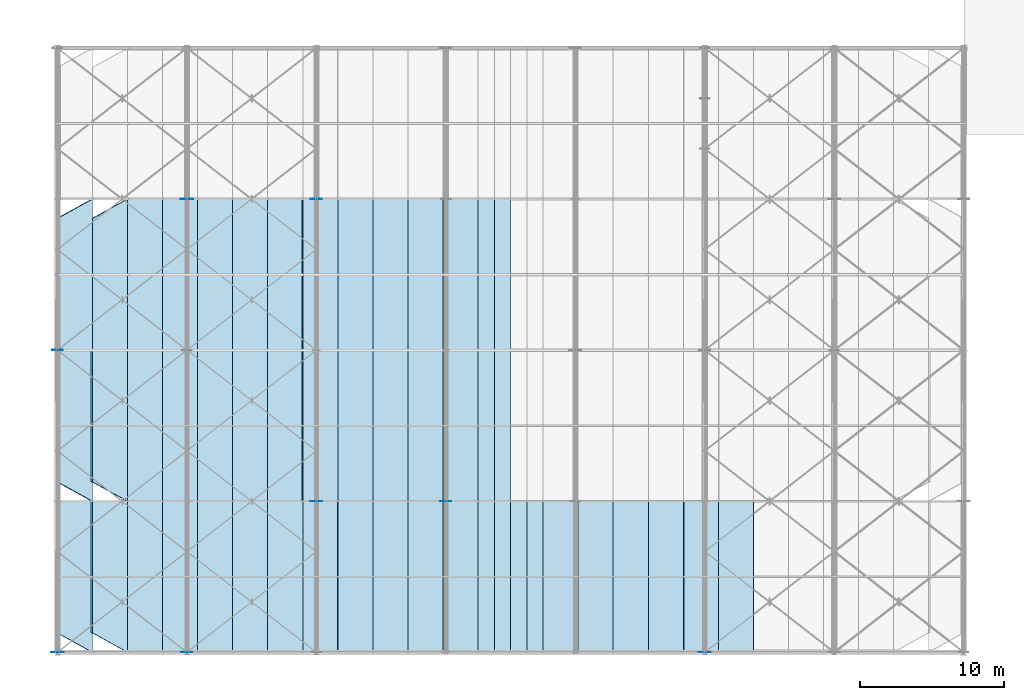
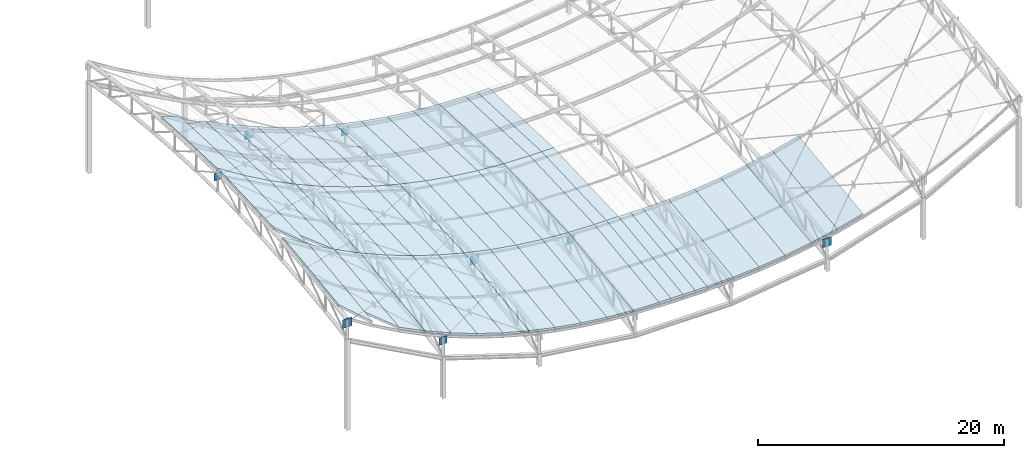
# One storey, part 217 of 262: 50 slabs, 8 plates.
"""IFC4 building model written with IfcOpenShell, lengths in metres."""

from ifc_helpers import new_model, si_unit, derived_unit, direction, frame, origin, origin_2d, place, context, subcontext, project, spatial, polyline, rectangle, outline, extrude, material, layer, layer_set, type_object, element, save


model = new_model("IFC4")

# Units and contexts
model_context = context("Model", 3, precision=1e-05, world=origin(), true_north=direction((0.0, 1.0)))
body_context = subcontext(model_context, "Body", "Model", "MODEL_VIEW")
ifc_project = project(units=[si_unit("LENGTHUNIT", "METRE"), si_unit("AREAUNIT", "SQUARE_METRE"), si_unit("VOLUMEUNIT", "CUBIC_METRE"), si_unit("PLANEANGLEUNIT", "RADIAN"), si_unit("MASSUNIT", "GRAM", prefix="KILO"), derived_unit("THERMALTRANSMITTANCEUNIT", [(si_unit("POWERUNIT", "WATT"), 1), (si_unit("LENGTHUNIT", "METRE"), -2), (si_unit("THERMODYNAMICTEMPERATUREUNIT", "KELVIN"), -1)])], contexts=[model_context])

# Site, building, storey
site_placement = place(None, origin())
site = spatial("IfcSite", under=ifc_project, at=site_placement, CompositionType="ELEMENT")
building_placement = place(site_placement, origin())
building = spatial("IfcBuilding", under=site, at=building_placement, Name="Almenara Railside Exhibition Hall", CompositionType="ELEMENT")
storey_placement = place(building_placement, frame((0.0, 0.0, 21.699951171875)))
storey = spatial("IfcBuildingStorey", under=building, at=storey_placement, Name="RF", CompositionType="ELEMENT", Elevation=21.699951171875)

# Slabs
ifc_material_1 = material(Name="Planted green roof insulated steel S355JR deck", Category="steel")
ifc_layer_1 = layer(ifc_material_1, 0.2451171875, Name="Planted green roof insulated steel S355JR deck")
ifc_layer_set_1 = layer_set([ifc_layer_1], Name="Planted green roof insulated steel S355JR deck")
slab_type_1 = type_object("IfcSlabType", Name="Flat Planted Hall Roof Deck 245mm S355JR", PredefinedType="ROOF", material=ifc_layer_set_1)
slab_1_placement = place(storey_placement, frame((32.240478515625, 10.5, -6.31005859375), z_axis=(0.0, -0.127508130523, 0.991837525329), x_axis=(1.0, 0.0, 0.0)))
element("IfcSlab", 1, at=slab_1_placement, inside=storey, type_object=slab_type_1, Name="V4 roof cassette RC-V4-13A", PredefinedType="ROOF", context=body_context, shape_type="SweptSolid", body=[
    extrude(outline(polyline([(0.0, 0.0), (1.129638671875, 0.0), (1.129638671875, -10.586411314210551), (0.0, -10.586411314210551), (0.0, 0.0)])), origin(), (0.0, 0.0, -1.0), 0.2451171875),
])
for number, where, z_axis, x_axis, name in (
    (2, (32.240478515625, 21.0, -5.85986328125), (0.0, -0.04283638843, 0.999082100644), (1.0, 0.0, 0.0), "V4 roof cassette RC-V4-13B"),
    (3, (32.240478515625, 31.5, -6.31005859375), (0.0, 0.04283638843, 0.999082100644), (1.0, 0.0, 0.0), "V4 roof cassette RC-V4-13C"),
):
    element("IfcSlab", number, at=place(storey_placement, frame(where, z_axis=z_axis, x_axis=x_axis)), inside=storey, type_object=slab_type_1, Name=name, PredefinedType="ROOF", context=body_context, shape_type="SweptSolid", body=[
        extrude(outline(polyline([(0.0, 0.0), (1.129638671875, 0.0), (1.129638671875, -10.509646798032604), (0.0, -10.509646798032604), (0.0, 0.0)])), origin(), (0.0, 0.0, -1.0), 0.2451171875),
    ])
slab_2_placement = place(storey_placement, frame((33.3701171875, 10.5, -6.31005859375), z_axis=(0.0, -0.127508130523, 0.991837525329), x_axis=(1.0, 0.0, 0.0)))
element("IfcSlab", 4, at=slab_2_placement, inside=storey, type_object=slab_type_1, Name="V4 roof cassette RC-V4-14A", PredefinedType="ROOF", context=body_context, shape_type="SweptSolid", body=[
    extrude(outline(polyline([(0.0, 0.0), (1.1298828125, 0.0), (1.1298828125, -10.586411314210551), (0.0, -10.586411314210551), (0.0, 0.0)])), origin(), (0.0, 0.0, -1.0), 0.2451171875),
])
for number, where, z_axis, x_axis, name in (
    (5, (33.3701171875, 21.0, -5.85986328125), (0.0, -0.04283638843, 0.999082100644), (1.0, 0.0, 0.0), "V4 roof cassette RC-V4-14B"),
    (6, (33.3701171875, 31.5, -6.31005859375), (0.0, 0.04283638843, 0.999082100644), (1.0, 0.0, 0.0), "V4 roof cassette RC-V4-14C"),
):
    element("IfcSlab", number, at=place(storey_placement, frame(where, z_axis=z_axis, x_axis=x_axis)), inside=storey, type_object=slab_type_1, Name=name, PredefinedType="ROOF", context=body_context, shape_type="SweptSolid", body=[
        extrude(outline(polyline([(0.0, 0.0), (1.1298828125, 0.0), (1.1298828125, -10.509646798032604), (0.0, -10.509646798032604), (0.0, 0.0)])), origin(), (0.0, 0.0, -1.0), 0.2451171875),
    ])
slab_3_placement = place(storey_placement, frame((34.5, 10.5, -6.31005859375), z_axis=(0.0, -0.127508130523, 0.991837525329), x_axis=(1.0, 0.0, 0.0)))
element("IfcSlab", 7, at=slab_3_placement, inside=storey, type_object=slab_type_1, Name="V4 roof cassette RC-V4-15A", PredefinedType="ROOF", context=body_context, shape_type="SweptSolid", body=[
    extrude(outline(polyline([(0.0, 0.0), (1.1298828125, 0.0), (1.1298828125, -10.586411314210551), (0.0, -10.586411314210551), (0.0, 0.0)])), origin(), (0.0, 0.0, -1.0), 0.2451171875),
])
slab_4_placement = place(storey_placement, frame((35.6298828125, 10.5, -6.31005859375), z_axis=(0.0, -0.127508130523, 0.991837525329), x_axis=(1.0, 0.0, 0.0)))
element("IfcSlab", 8, at=slab_4_placement, inside=storey, type_object=slab_type_1, Name="V4 roof cassette RC-V4-16A", PredefinedType="ROOF", context=body_context, shape_type="SweptSolid", body=[
    extrude(outline(polyline([(0.0, 0.0), (1.129638671875, 0.0), (1.129638671875, -10.586411314210551), (0.0, -10.586411314210551), (0.0, 0.0)])), origin(), (0.0, 0.0, -1.0), 0.2451171875),
])
ifc_material_2 = material(Name="White standing-seam insulated steel S355JR roof deck", Category="steel")
ifc_layer_2 = layer(ifc_material_2, 0.195068359375, Name="White standing-seam insulated steel S355JR roof deck")
ifc_layer_set_2 = layer_set([ifc_layer_2], Name="White standing-seam insulated steel S355JR roof deck")
slab_type_2 = type_object("IfcSlabType", Name="Scroll Standing-Seam Insulated Roof Cassette 195mm S355JR", PredefinedType="ROOF", material=ifc_layer_set_2)
slab_5_placement = place(storey_placement, frame((7.873291015625, 10.5, -0.247314453125), z_axis=(0.442388609111, -0.114372628726, 0.889500545434), x_axis=(0.895376074457, 0.0, -0.445310773831)))
element("IfcSlab", 9, at=slab_5_placement, inside=storey, type_object=slab_type_2, Name="V4 roof cassette RC-V4-03A", PredefinedType="ROOF", context=body_context, shape_type="SweptSolid", body=[
    extrude(outline(polyline([(0.0, 0.0), (2.721501777454211, 0.0), (3.322714809506032, -10.569356961116545), (0.6012130320518209, -10.569356961116545), (0.0, 0.0)])), origin(), (0.0, 0.0, -1.0), 0.195068359375),
])
slab_6_placement = place(storey_placement, frame((7.873291015625, 21.0, 0.20263671875), z_axis=(0.444983344821, -0.038340884461, 0.894717720519), x_axis=(0.895376074457, 0.0, -0.445310773831)))
element("IfcSlab", 10, at=slab_6_placement, inside=storey, type_object=slab_type_2, Name="V4 roof cassette RC-V4-03B", PredefinedType="ROOF", context=body_context, shape_type="SweptSolid", body=[
    extrude(outline(polyline([(0.0, 0.0), (2.721501777454211, 0.0), (2.9218698819879374, -10.507726142213512), (0.2003681045337262, -10.507726142213512), (0.0, 0.0)])), origin(), (0.0, 0.0, -1.0), 0.195068359375),
])
slab_7_placement = place(storey_placement, frame((7.873291015625, 31.5, -0.247314453125), z_axis=(0.444983344821, 0.038340884461, 0.894717720519), x_axis=(0.895376074457, 0.0, -0.445310773831)))
element("IfcSlab", 11, at=slab_7_placement, inside=storey, type_object=slab_type_2, Name="V4 roof cassette RC-V4-03C", PredefinedType="ROOF", context=body_context, shape_type="SweptSolid", body=[
    extrude(outline(polyline([(0.0, 0.0), (2.721501777454211, 0.0), (2.521133672920485, -10.507726142213512), (-0.2003681045337262, -10.507726142213512), (0.0, 0.0)])), origin(), (0.0, 0.0, -1.0), 0.195068359375),
])
slab_8_placement = place(storey_placement, frame((10.31005859375, 10.5, -1.459228515625), z_axis=(0.395708270549, -0.117121275586, 0.910877363548), x_axis=(0.917189812532, 0.0, -0.398450558775)))
element("IfcSlab", 12, at=slab_8_placement, inside=storey, type_object=slab_type_2, Name="V4 roof cassette RC-V4-04A", PredefinedType="ROOF", context=body_context, shape_type="SweptSolid", body=[
    extrude(outline(polyline([(0.0, 0.0), (2.656775669366957, 0.0), (3.1947228349010506, -10.572765793703445), (0.5379471655340936, -10.572765793703445), (0.0, 0.0)])), origin(), (0.0, 0.0, -1.0), 0.195068359375),
])
slab_9_placement = place(storey_placement, frame((10.31005859375, 21.0, -1.00927734375), z_axis=(0.398143152839, -0.039273546551, 0.91648219753), x_axis=(0.917189812532, 0.0, -0.398450558775)))
element("IfcSlab", 13, at=slab_9_placement, inside=storey, type_object=slab_type_2, Name="V4 roof cassette RC-V4-04B", PredefinedType="ROOF", context=body_context, shape_type="SweptSolid", body=[
    extrude(outline(polyline([(0.0, 0.0), (2.656775669366957, 6.938893903907228e-18), (2.836058965222171, -10.508107039657475), (0.17928329585521421, -10.508107039657475), (0.0, 0.0)])), origin(), (0.0, 0.0, -1.0), 0.195068359375),
])
slab_10_placement = place(storey_placement, frame((10.31005859375, 31.5, -1.459228515625), z_axis=(0.398143152839, 0.039273546551, 0.91648219753), x_axis=(0.917189812532, 0.0, -0.398450558775)))
element("IfcSlab", 14, at=slab_10_placement, inside=storey, type_object=slab_type_2, Name="V4 roof cassette RC-V4-04C", PredefinedType="ROOF", context=body_context, shape_type="SweptSolid", body=[
    extrude(outline(polyline([(0.0, 0.0), (2.656775669366957, -6.938893903907228e-18), (2.4774923735117427, -10.508107039657476), (-0.17928329585521421, -10.508107039657475), (0.0, 0.0)])), origin(), (0.0, 0.0, -1.0), 0.195068359375),
])
slab_11_placement = place(storey_placement, frame((12.746826171875, 10.5, -2.517822265625), z_axis=(0.349025284614, -0.119510825866, 0.929461410281), x_axis=(0.936171044044, 0.0, -0.351544842508)))
element("IfcSlab", 15, at=slab_11_placement, inside=storey, type_object=slab_type_2, Name="V4 roof cassette RC-V4-05A", PredefinedType="ROOF", context=body_context, shape_type="SweptSolid", body=[
    extrude(outline(polyline([(0.0, 0.0), (2.602908510820551, 0.0), (3.0775283787578216, -10.57579782628105), (0.4746198679372705, -10.57579782628105), (0.0, 0.0)])), origin(), (0.0, 0.0, -1.0), 0.195068359375),
])
slab_12_placement = place(storey_placement, frame((12.746826171875, 21.0, -2.06787109375), z_axis=(0.351262296294, -0.040085019357, 0.935418617746), x_axis=(0.936171044044, 0.0, -0.351544842508)))
element("IfcSlab", 16, at=slab_12_placement, inside=storey, type_object=slab_type_2, Name="V4 roof cassette RC-V4-05B", PredefinedType="ROOF", context=body_context, shape_type="SweptSolid", body=[
    extrude(outline(polyline([(0.0, 0.0), (2.602908510820551, -6.938893903907228e-18), (2.761086524673786, -10.508445925683073), (0.15817801385323502, -10.508445925683073), (0.0, 0.0)])), origin(), (0.0, 0.0, -1.0), 0.195068359375),
])
slab_13_placement = place(storey_placement, frame((12.746826171875, 31.5, -2.517822265625), z_axis=(0.351262296294, 0.040085019357, 0.935418617746), x_axis=(0.936171044044, 0.0, -0.351544842508)))
element("IfcSlab", 17, at=slab_13_placement, inside=storey, type_object=slab_type_2, Name="V4 roof cassette RC-V4-05C", PredefinedType="ROOF", context=body_context, shape_type="SweptSolid", body=[
    extrude(outline(polyline([(0.0, 0.0), (2.602908510820551, 6.938893903907228e-18), (2.4447304969673156, -10.508445925683072), (-0.15817801385323502, -10.508445925683073), (0.0, 0.0)])), origin(), (0.0, 0.0, -1.0), 0.195068359375),
])
slab_14_placement = place(storey_placement, frame((15.18359375, 10.5, -3.432861328125), z_axis=(0.30242144949, -0.121548286633, 0.945392659642), x_axis=(0.952454410984, -5.483256e-06, -0.304681136547)))
element("IfcSlab", 18, at=slab_14_placement, inside=storey, type_object=slab_type_2, Name="V4 roof cassette RC-V4-06A", PredefinedType="ROOF", context=body_context, shape_type="SweptSolid", body=[
    extrude(outline(polyline([(0.0, 0.0), (2.558188938137741, 0.0), (2.9695214156362435, -10.57841718279639), (0.41140686254160447, -10.578445446356813), (0.0, 0.0)])), origin(), (0.0, 0.0, -1.0), 0.195068359375),
])
slab_15_placement = place(storey_placement, frame((15.18359375, 21.0, -2.98291015625), z_axis=(0.304470293691, -0.040780508528, 0.951648459455), x_axis=(0.952440767254, 0.0, -0.304723784553)))
element("IfcSlab", 19, at=slab_15_placement, inside=storey, type_object=slab_type_2, Name="V4 roof cassette RC-V4-06B", PredefinedType="ROOF", context=body_context, shape_type="SweptSolid", body=[
    extrude(outline(polyline([(0.0, 0.0), (2.558188940740788, 3.469446951953614e-18), (2.6952997646987424, -10.508741917043414), (0.1371108239579546, -10.508741917043414), (0.0, 0.0)])), origin(), (0.0, 0.0, -1.0), 0.195068359375),
])
slab_16_placement = place(storey_placement, frame((15.18359375, 31.5, -3.432861328125), z_axis=(0.304470293691, 0.040780508528, 0.951648459455), x_axis=(0.952440767254, 0.0, -0.304723784553)))
element("IfcSlab", 20, at=slab_16_placement, inside=storey, type_object=slab_type_2, Name="V4 roof cassette RC-V4-06C", PredefinedType="ROOF", context=body_context, shape_type="SweptSolid", body=[
    extrude(outline(polyline([(0.0, 0.0), (2.558188940740788, -3.469446951953614e-18), (2.4210781167828332, -10.508741917043416), (-0.1371108239579546, -10.508741917043414), (0.0, 0.0)])), origin(), (0.0, 0.0, -1.0), 0.195068359375),
])
slab_17_placement = place(storey_placement, frame((17.6201171875, 10.5, -4.21240234375), z_axis=(0.255823218428, -0.12326511647, 0.958832723667), x_axis=(0.966201190487, 0.0, -0.257789176462)))
element("IfcSlab", 21, at=slab_17_placement, inside=storey, type_object=slab_type_2, Name="V4 roof cassette RC-V4-07A", PredefinedType="ROOF", context=body_context, shape_type="SweptSolid", body=[
    extrude(outline(polyline([(0.0, 0.0), (2.522008461711885, 1.3877787807814457e-17), (2.869986087849242, -10.580690718726874), (0.3479776261373565, -10.580690718726874), (0.0, 0.0)])), origin(), (0.0, 0.0, -1.0), 0.195068359375),
])
slab_18_placement = place(storey_placement, frame((17.6201171875, 21.0, -3.762451171875), z_axis=(0.257568495916, -0.041368685302, 0.965374073501), x_axis=(0.966201190487, 0.0, -0.257789176462)))
element("IfcSlab", 22, at=slab_18_placement, inside=storey, type_object=slab_type_2, Name="V4 roof cassette RC-V4-07B", PredefinedType="ROOF", context=body_context, shape_type="SweptSolid", body=[
    extrude(outline(polyline([(0.0, 0.0), (2.522008461711885, 6.938893903907228e-18), (2.638001003757671, -10.508996231194558), (0.11599254204578552, -10.508996231194558), (0.0, 0.0)])), origin(), (0.0, 0.0, -1.0), 0.195068359375),
])
slab_19_placement = place(storey_placement, frame((17.6201171875, 31.5, -4.21240234375), z_axis=(0.257568495916, 0.041368685302, 0.965374073501), x_axis=(0.966201190487, 0.0, -0.257789176462)))
element("IfcSlab", 23, at=slab_19_placement, inside=storey, type_object=slab_type_2, Name="V4 roof cassette RC-V4-07C", PredefinedType="ROOF", context=body_context, shape_type="SweptSolid", body=[
    extrude(outline(polyline([(0.0, 0.0), (2.522008461711885, -6.938893903907228e-18), (2.4060159196660997, -10.508996231194558), (-0.11599254204578552, -10.508996231194558), (0.0, 0.0)])), origin(), (0.0, 0.0, -1.0), 0.195068359375),
])
slab_20_placement = place(storey_placement, frame((20.056884765625, 10.5, -4.862548828125), z_axis=(0.209307302396, -0.124683814392, 0.969868238263), x_axis=(0.977496103583, 0.0, -0.210953472309)))
element("IfcSlab", 24, at=slab_20_placement, inside=storey, type_object=slab_type_2, Name="V4 roof cassette RC-V4-08A", PredefinedType="ROOF", context=body_context, shape_type="SweptSolid", body=[
    extrude(outline(polyline([(0.0, 0.0), (2.492866794243101, 0.0), (2.7776230804730373, -10.58258089367134), (0.2847562862299364, -10.58258089367134), (0.0, 0.0)])), origin(), (0.0, 0.0, -1.0), 0.195068359375),
])
slab_21_placement = place(storey_placement, frame((20.056884765625, 21.0, -4.41259765625), z_axis=(0.210721791864, -0.041863209883, 0.976649270768), x_axis=(0.977506217732, 2.002125e-06, -0.210906600874)))
element("IfcSlab", 25, at=slab_21_placement, inside=storey, type_object=slab_type_2, Name="V4 roof cassette RC-V4-08B", PredefinedType="ROOF", context=body_context, shape_type="SweptSolid", body=[
    extrude(outline(polyline([(0.0, 0.0), (2.492815300502917, 0.0), (2.587743441282962, -10.509218070497521), (0.09487664991069114, -10.509208079782226), (0.0, 0.0)])), origin(), (0.0, 0.0, -1.0), 0.195068359375),
])
slab_22_placement = place(storey_placement, frame((20.056884765625, 31.5, -4.862548828125), z_axis=(0.210721791864, 0.041863209883, 0.976649270768), x_axis=(0.977506182346, 2.002083e-06, -0.210906764876)))
element("IfcSlab", 26, at=slab_22_placement, inside=storey, type_object=slab_type_2, Name="V4 roof cassette RC-V4-08C", PredefinedType="ROOF", context=body_context, shape_type="SweptSolid", body=[
    extrude(outline(polyline([(0.0, 0.0), (2.4928667913922906, 0.0), (2.3978965325960835, -10.509217689967594), (-0.09491876788681375, -10.50920769945866), (0.0, 0.0)])), origin(), (0.0, 0.0, -1.0), 0.195068359375),
])
slab_23_placement = place(storey_placement, frame((22.49365234375, 10.5, -5.388427734375), z_axis=(0.162710915103, -0.125820121956, 0.978618646367), x_axis=(0.986458083656, 6.084735e-06, -0.164013563932)))
element("IfcSlab", 27, at=slab_23_placement, inside=storey, type_object=slab_type_2, Name="V4 roof cassette RC-V4-09A", PredefinedType="ROOF", context=body_context, shape_type="SweptSolid", body=[
    extrude(outline(polyline([(0.0, 0.0), (2.470199373908405, -6.938893903907228e-18), (2.691569812452836, -10.584127682340174), (0.22133039617042422, -10.584097380273173), (0.0, 0.0)])), origin(), (0.0, 0.0, -1.0), 0.195068359375),
])
slab_24_placement = place(storey_placement, frame((22.49365234375, 21.0, -4.938232421875), z_axis=(0.163867900327, -0.042245901566, 0.985577290243), x_axis=(0.986457942831, -2.05753e-06, -0.16401441102)))
element("IfcSlab", 28, at=slab_24_placement, inside=storey, type_object=slab_type_2, Name="V4 roof cassette RC-V4-09B", PredefinedType="ROOF", context=body_context, shape_type="SweptSolid", body=[
    extrude(outline(polyline([(0.0, 0.0), (2.4702394164270425, 0.0), (2.5440594969401777, -10.50937708136454), (0.07386012309395104, -10.509387255551063), (0.0, 0.0)])), origin(), (0.0, 0.0, -1.0), 0.195068359375),
])
slab_25_placement = place(storey_placement, frame((22.49365234375, 31.5, -5.388427734375), z_axis=(0.163867900327, 0.042245901566, 0.985577290243), x_axis=(0.986457971369, -2.057564e-06, -0.164014239375)))
element("IfcSlab", 29, at=slab_25_placement, inside=storey, type_object=slab_type_2, Name="V4 roof cassette RC-V4-09C", PredefinedType="ROOF", context=body_context, shape_type="SweptSolid", body=[
    extrude(outline(polyline([(0.0, 0.0), (2.470199373867179, -3.469446951953614e-18), (2.3964225790763702, -10.509377385323436), (-0.07381683732971869, -10.509387559674883), (0.0, 0.0)])), origin(), (0.0, 0.0, -1.0), 0.195068359375),
])
slab_26_placement = place(storey_placement, frame((24.930419921875, 10.5, -5.79345703125), z_axis=(0.116278124233, -0.1266657364, 0.98510668917), x_axis=(0.993105700961, 0.0, -0.117222296166)))
element("IfcSlab", 30, at=slab_26_placement, inside=storey, type_object=slab_type_2, Name="V4 roof cassette RC-V4-10A", PredefinedType="ROOF", context=body_context, shape_type="SweptSolid", body=[
    extrude(outline(polyline([(0.0, 0.0), (2.4534381739443343, 0.0), (2.6116997212577036, -10.58525941883588), (0.1582615473133695, -10.58525941883588), (0.0, 0.0)])), origin(), (0.0, 0.0, -1.0), 0.195068359375),
])
slab_27_placement = place(storey_placement, frame((24.930419921875, 21.0, -5.343505859375), z_axis=(0.117116289315, -0.042518569326, 0.992207612367), x_axis=(0.993105700961, 0.0, -0.117222296166)))
element("IfcSlab", 31, at=slab_27_placement, inside=storey, type_object=slab_type_2, Name="V4 roof cassette RC-V4-10B", PredefinedType="ROOF", context=body_context, shape_type="SweptSolid", body=[
    extrude(outline(polyline([(0.0, 0.0), (2.4534381739443343, 0.0), (2.5061824834739075, -10.509503989003665), (0.05274430952957324, -10.509503989003665), (0.0, 0.0)])), origin(), (0.0, 0.0, -1.0), 0.195068359375),
])
slab_28_placement = place(storey_placement, frame((24.930419921875, 31.5, -5.79345703125), z_axis=(0.117116289315, 0.042518569326, 0.992207612367), x_axis=(0.993105700961, 0.0, -0.117222296166)))
element("IfcSlab", 32, at=slab_28_placement, inside=storey, type_object=slab_type_2, Name="V4 roof cassette RC-V4-10C", PredefinedType="ROOF", context=body_context, shape_type="SweptSolid", body=[
    extrude(outline(polyline([(0.0, 0.0), (2.4534381739443343, 0.0), (2.400693864414761, -10.509503989003665), (-0.05274430952957324, -10.509503989003665), (0.0, 0.0)])), origin(), (0.0, 0.0, -1.0), 0.195068359375),
])
slab_29_placement = place(storey_placement, frame((27.366943359375, 10.5, -6.0810546875), z_axis=(0.069738288759, -0.127209004981, 0.989421265252), x_axis=(0.997525168985, -6.289519e-06, -0.070310292295)))
element("IfcSlab", 33, at=slab_29_placement, inside=storey, type_object=slab_type_2, Name="V4 roof cassette RC-V4-11A", PredefinedType="ROOF", context=body_context, shape_type="SweptSolid", body=[
    extrude(outline(polyline([(0.0, 0.0), (2.4428215716336346, 3.469446951953614e-18), (2.5377962068176734, -10.585985278552455), (0.09499180078274361, -10.586016258470806), (0.0, 0.0)])), origin(), (0.0, 0.0, -1.0), 0.195068359375),
])
slab_30_placement = place(storey_placement, frame((27.366943359375, 21.0, -5.631103515625), z_axis=(0.070245303993, -0.042719006608, 0.996614611443), x_axis=(0.997525232113, 2.127501e-06, -0.070309396913)))
element("IfcSlab", 34, at=slab_30_placement, inside=storey, type_object=slab_type_2, Name="V4 roof cassette RC-V4-11B", PredefinedType="ROOF", context=body_context, shape_type="SweptSolid", body=[
    extrude(outline(polyline([(0.0, 0.0), (2.4428044061878023, -1.734723475976807e-18), (2.474435028343095, -10.509599198272909), (0.03161345677518725, -10.509588794601905), (0.0, 0.0)])), origin(), (0.0, 0.0, -1.0), 0.195068359375),
])
slab_31_placement = place(storey_placement, frame((27.366943359375, 31.5, -6.0810546875), z_axis=(0.070245303993, 0.042719006608, 0.996614611443), x_axis=(0.997525219321, 2.127486e-06, -0.070309578398)))
element("IfcSlab", 35, at=slab_31_placement, inside=storey, type_object=slab_type_2, Name="V4 roof cassette RC-V4-11C", PredefinedType="ROOF", context=body_context, shape_type="SweptSolid", body=[
    extrude(outline(polyline([(0.0, 0.0), (2.442821571590062, 8.673617379884035e-19), (2.411146190368857, -10.509599063466743), (-0.031658215796791345, -10.509588659868845), (0.0, 0.0)])), origin(), (0.0, 0.0, -1.0), 0.195068359375),
])
slab_32_placement = place(storey_placement, frame((29.8037109375, 10.5, -6.2529296875), z_axis=(0.023246895064, -0.127473672014, 0.99156948562), x_axis=(0.999725289903, 0.0, -0.023438104182)))
element("IfcSlab", 36, at=slab_32_placement, inside=storey, type_object=slab_type_2, Name="V4 roof cassette RC-V4-12A", PredefinedType="ROOF", context=body_context, shape_type="SweptSolid", body=[
    extrude(outline(polyline([(0.0, 0.0), (2.437437166724611, 8.673617379884035e-19), (2.469075174053842, -10.586364038239825), (0.03163800732923111, -10.586364038239825), (0.0, 0.0)])), origin(), (0.0, 0.0, -1.0), 0.195068359375),
])
slab_33_placement = place(storey_placement, frame((29.8037109375, 21.0, -5.802734375), z_axis=(0.023416602163, -0.042824642425, 0.998808146114), x_axis=(0.999725289903, 0.0, -0.023438104182)))
element("IfcSlab", 37, at=slab_33_placement, inside=storey, type_object=slab_type_2, Name="V4 roof cassette RC-V4-12B", PredefinedType="ROOF", context=body_context, shape_type="SweptSolid", body=[
    extrude(outline(polyline([(0.0, 0.0), (2.437437166724611, 4.336808689942018e-19), (2.4479888913610917, -10.5096415010458), (0.010551724636480768, -10.509641501045799), (0.0, 0.0)])), origin(), (0.0, 0.0, -1.0), 0.195068359375),
])
slab_34_placement = place(storey_placement, frame((29.8037109375, 31.5, -6.2529296875), z_axis=(0.023416602163, 0.042824642425, 0.998808146114), x_axis=(0.999725289903, 0.0, -0.023438104182)))
element("IfcSlab", 38, at=slab_34_placement, inside=storey, type_object=slab_type_2, Name="V4 roof cassette RC-V4-12C", PredefinedType="ROOF", context=body_context, shape_type="SweptSolid", body=[
    extrude(outline(polyline([(0.0, 0.0), (2.437437166724611, -4.336808689942018e-19), (2.4268854420881305, -10.509641501045799), (-0.010551724636480768, -10.509641501045799), (0.0, 0.0)])), origin(), (0.0, 0.0, -1.0), 0.195068359375),
])
slab_35_placement = place(storey_placement, frame((36.759521484375, 10.5, -6.31005859375), z_axis=(-0.023246895064, -0.127473672014, 0.99156948562), x_axis=(0.999725289903, 0.0, 0.023438104182)))
element("IfcSlab", 39, at=slab_35_placement, inside=storey, type_object=slab_type_2, Name="V4 roof cassette RC-V4-17A", PredefinedType="ROOF", context=body_context, shape_type="SweptSolid", body=[
    extrude(outline(polyline([(0.0, 0.0), (2.437437166724611, -8.673617379884035e-19), (2.40579915939538, -10.586364038239825), (-0.03163800732923111, -10.586364038239825), (0.0, 0.0)])), origin(), (0.0, 0.0, -1.0), 0.195068359375),
])
slab_36_placement = place(storey_placement, frame((39.1962890625, 10.5, -6.2529296875), z_axis=(-0.069738288759, -0.127209004981, 0.989421265252), x_axis=(0.997525168985, 6.289519e-06, 0.070310292295)))
element("IfcSlab", 40, at=slab_36_placement, inside=storey, type_object=slab_type_2, Name="V4 roof cassette RC-V4-18A", PredefinedType="ROOF", context=body_context, shape_type="SweptSolid", body=[
    extrude(outline(polyline([(0.0, 0.0), (2.4428215716336346, -3.469446951953614e-18), (2.347829770850891, -10.586016258470806), (-0.09497463518403883, -10.585985278552455), (0.0, 0.0)])), origin(), (0.0, 0.0, -1.0), 0.195068359375),
])
slab_37_placement = place(storey_placement, frame((41.633056640625, 10.5, -6.0810546875), z_axis=(-0.116278124233, -0.1266657364, 0.98510668917), x_axis=(0.993105700961, 0.0, 0.117222296166)))
element("IfcSlab", 41, at=slab_37_placement, inside=storey, type_object=slab_type_2, Name="V4 roof cassette RC-V4-19A", PredefinedType="ROOF", context=body_context, shape_type="SweptSolid", body=[
    extrude(outline(polyline([(0.0, 0.0), (2.4534381739443343, 0.0), (2.2951766266309646, -10.58525941883588), (-0.1582615473133695, -10.58525941883588), (0.0, 0.0)])), origin(), (0.0, 0.0, -1.0), 0.195068359375),
])
slab_38_placement = place(storey_placement, frame((44.069580078125, 10.5, -5.79345703125), z_axis=(-0.162710915103, -0.125820121956, 0.978618646367), x_axis=(0.986458083656, -6.084735e-06, 0.164013563932)))
element("IfcSlab", 42, at=slab_38_placement, inside=storey, type_object=slab_type_2, Name="V4 roof cassette RC-V4-20A", PredefinedType="ROOF", context=body_context, shape_type="SweptSolid", body=[
    extrude(outline(polyline([(0.0, 0.0), (2.470199373908405, 6.938893903907228e-18), (2.2488689777379807, -10.584097380273173), (-0.22137043854443098, -10.584127682340174), (0.0, 0.0)])), origin(), (0.0, 0.0, -1.0), 0.195068359375),
])
slab_39_placement = place(storey_placement, frame((46.50634765625, 10.5, -5.388427734375), z_axis=(-0.209307302396, -0.124683814392, 0.969868238263), x_axis=(0.977496103583, 0.0, 0.210953472309)))
element("IfcSlab", 43, at=slab_39_placement, inside=storey, type_object=slab_type_2, Name="V4 roof cassette RC-V4-21A", PredefinedType="ROOF", context=body_context, shape_type="SweptSolid", body=[
    extrude(outline(polyline([(0.0, 0.0), (2.492866794243101, 0.0), (2.2081105080131644, -10.58258089367134), (-0.2847562862299364, -10.58258089367134), (0.0, 0.0)])), origin(), (0.0, 0.0, -1.0), 0.195068359375),
])
slab_40_placement = place(storey_placement, frame((48.943115234375, 10.5, -4.862548828125), z_axis=(-0.255823218428, -0.12326511647, 0.958832723667), x_axis=(0.966201190487, 0.0, 0.257789176462)))
element("IfcSlab", 44, at=slab_40_placement, inside=storey, type_object=slab_type_2, Name="V4 roof cassette RC-V4-22A", PredefinedType="ROOF", context=body_context, shape_type="SweptSolid", body=[
    extrude(outline(polyline([(0.0, 0.0), (2.522008461711885, -1.3877787807814457e-17), (2.174030835574529, -10.580690718726874), (-0.3479776261373565, -10.580690718726874), (0.0, 0.0)])), origin(), (0.0, 0.0, -1.0), 0.195068359375),
])
ifc_layer_3 = layer(ifc_material_2, 0.179931640625, Name="White standing-seam insulated steel S355JR roof deck")
ifc_layer_set_3 = layer_set([ifc_layer_3], Name="White standing-seam insulated steel S355JR roof deck")
slab_type_3 = type_object("IfcSlabType", Name="Scroll Tip Standing-Seam Cassette 180mm S355JR", PredefinedType="ROOF", material=ifc_layer_set_3)
slab_41_placement = place(storey_placement, frame((3.0, 10.5, 2.68994140625), z_axis=(0.535933195442, -0.107649274702, 0.83736923975), x_axis=(0.842263709151, 3.13588e-07, -0.53906571422)))
element("IfcSlab", 45, at=slab_41_placement, inside=storey, type_object=slab_type_3, Name="V4 roof cassette RC-V4-01A", PredefinedType="ROOF", context=body_context, shape_type="SweptSolid", body=[
    extrude(outline(polyline([(0.0, 0.0), (2.893111783073979, 2.7755575615628914e-17), (3.62076823989665, -10.561373991788113), (0.6340837056823306, -9.203383115160747), (0.0, 0.0)])), origin(), (0.0, 0.0, -1.0), 0.179931640625),
])
slab_42_placement = place(storey_placement, frame((3.0, 21.0, 3.14013671875), z_axis=(0.538740990437, -0.036079069542, 0.841698548154), x_axis=(0.842246876779, -1.334079e-06, -0.539092013068)))
element("IfcSlab", 46, at=slab_42_placement, inside=storey, type_object=slab_type_3, Name="V4 roof cassette RC-V4-01B", PredefinedType="ROOF", context=body_context, shape_type="SweptSolid", body=[
    extrude(outline(polyline([(0.0, 0.0), (2.893243395660596, 0.0), (3.135822486513778, -10.506836413988152), (0.21151632412016638, -9.155866954507522), (0.0, 0.0)])), origin(), (0.0, 0.0, -1.0), 0.179931640625),
])
slab_43_placement = place(storey_placement, frame((3.0, 30.14990234375, 2.68994140625), z_axis=(0.524325251327, 0.036466493663, 0.850736872165), x_axis=(0.763230970294, 0.422878783891, -0.488520235117)))
element("IfcSlab", 47, at=slab_43_placement, inside=storey, type_object=slab_type_3, Name="V4 roof cassette RC-V4-01C", PredefinedType="ROOF", context=body_context, shape_type="SweptSolid", body=[
    extrude(outline(polyline([(0.0, 0.0), (3.192625793786673, -5.551115123125783e-17), (-1.4674116893464544, -9.420005663542549), (-4.06096266613949, -8.208728346582452), (0.0, 0.0)])), origin(), (0.0, 0.0, -1.0), 0.179931640625),
])
slab_44_placement = place(storey_placement, frame((5.436767578125, 10.5, 1.13037109375), z_axis=(0.489141843868, -0.111233464772, 0.865082292555), x_axis=(0.870484241531, -2.30668e-07, -0.492196287315)))
element("IfcSlab", 48, at=slab_44_placement, inside=storey, type_object=slab_type_3, Name="V4 roof cassette RC-V4-02A", PredefinedType="ROOF", context=body_context, shape_type="SweptSolid", body=[
    extrude(outline(polyline([(0.0, 0.0), (2.79904696772337, -2.7755575615628914e-17), (3.4635624436576604, -10.565565903614527), (0.5790777718630701, -9.207038951496346), (0.0, 0.0)])), origin(), (0.0, 0.0, -1.0), 0.179931640625),
])
slab_45_placement = place(storey_placement, frame((5.436767578125, 21.0, 1.580322265625), z_axis=(0.491856912534, -0.037276151042, 0.869877730578), x_axis=(0.870482714365, 3.8865e-08, -0.492198988206)))
element("IfcSlab", 49, at=slab_45_placement, inside=storey, type_object=slab_type_3, Name="V4 roof cassette RC-V4-02B", PredefinedType="ROOF", context=body_context, shape_type="SweptSolid", body=[
    extrude(outline(polyline([(0.0, 0.0), (2.7990469677278673, 6.938893903907228e-18), (3.020512071188911, -10.50730266362458), (0.19298586877262192, -9.15626582183912), (0.0, 0.0)])), origin(), (0.0, 0.0, -1.0), 0.179931640625),
])
slab_46_placement = place(storey_placement, frame((5.436767578125, 30.14990234375, 1.13037109375), z_axis=(0.475957692098, 0.037652567522, 0.878661800405), x_axis=(0.784043416928, 0.434444684909, -0.443321256118)))
element("IfcSlab", 50, at=slab_46_placement, inside=storey, type_object=slab_type_3, Name="V4 roof cassette RC-V4-02C", PredefinedType="ROOF", context=body_context, shape_type="SweptSolid", body=[
    extrude(outline(polyline([(0.0, 0.0), (3.1076401994050302, 1.3877787807814457e-16), (-1.6535019108497866, -9.369310639690699), (-4.148948202723499, -8.16459895872678), (0.0, 0.0)])), origin(), (0.0, 0.0, -1.0), 0.179931640625),
])

# Plates
ifc_material_3 = material(Name="Structural steel S355JR", Category="steel")
ifc_layer_4 = layer(ifc_material_3, 0.02392578125, Name="Structural steel S355JR")
ifc_layer_set_4 = layer_set([ifc_layer_4], Name="Structural steel S355JR")
plate_type_1 = type_object("IfcPlateType", Name="Truss Node Gusset Plate 24mm S355JR", PredefinedType="USERDEFINED", material=ifc_layer_set_4)
for number, where, z_axis, x_axis, name in (
    (51, (3.0, 21.0, 1.97509765625), (0.0, 0.0, 1.0), (1.0, 0.0, 0.0), "PLT-GUS-0227"),
    (52, (12.0, 0.0, -4.72412109375), (0.0, 0.0, 1.0), (1.0, 0.0, 0.0), "PLT-GUS-0230"),
    (53, (21.0, 31.5, -6.24560546875), (0.0, 0.0, 1.0), (1.0, 0.0, 0.0), "PLT-GUS-0238"),
    (54, (30.0, 10.5, -7.4267578125), (0.0, 0.0, 1.0), (1.0, 0.0, 0.0), "PLT-GUS-0241"),
):
    element("IfcPlate", number, at=place(storey_placement, frame(where, z_axis=z_axis, x_axis=x_axis)), inside=storey, type_object=plate_type_1, Name=name, ObjectType="GUSSET_PLATE", PredefinedType="USERDEFINED", context=body_context, shape_type="SweptSolid", body=[
        extrude(rectangle(XDim=0.75, YDim=0.02392578125, at=origin_2d()), origin(), (0.0, 0.0, 1.0), 0.75),
    ])
ifc_layer_5 = layer(ifc_material_3, 0.028076171875, Name="Structural steel S355JR")
ifc_layer_set_5 = layer_set([ifc_layer_5], Name="Structural steel S355JR")
plate_type_2 = type_object("IfcPlateType", Name="Truss Node Gusset Plate 28mm S355JR", PredefinedType="USERDEFINED", material=ifc_layer_set_5)
for number, where, z_axis, x_axis, name in (
    (55, (3.0, 0.0, 0.125), (0.0, 0.0, 1.0), (1.0, 0.0, 0.0), "PLT-GUS-0225"),
    (56, (12.0, 31.5, -3.424072265625), (0.0, 0.0, 1.0), (1.0, 0.0, 0.0), "PLT-GUS-0233"),
    (57, (21.0, 10.5, -6.295654296875), (0.0, 0.0, 1.0), (1.0, 0.0, 0.0), "PLT-GUS-0236"),
    (58, (48.0, 0.0, -7.6455078125), (0.0, 0.0, 1.0), (1.0, 0.0, 0.0), "PLT-GUS-0250"),
):
    element("IfcPlate", number, at=place(storey_placement, frame(where, z_axis=z_axis, x_axis=x_axis)), inside=storey, type_object=plate_type_2, Name=name, ObjectType="GUSSET_PLATE", PredefinedType="USERDEFINED", context=body_context, shape_type="SweptSolid", body=[
        extrude(rectangle(XDim=0.85009765625, YDim=0.028076171875, at=origin_2d()), origin(), (0.0, 0.0, 1.0), 0.85009765625),
    ])

save(model, "model.ifc")
